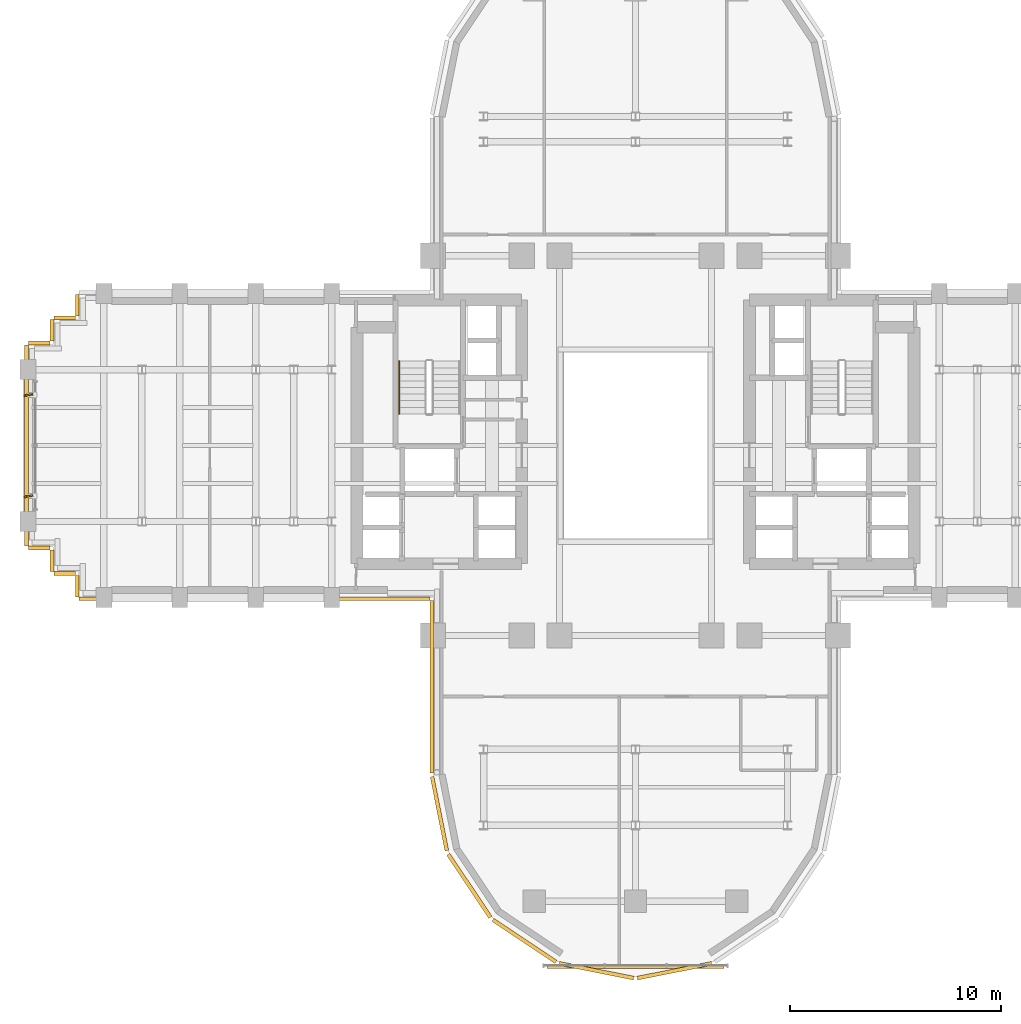
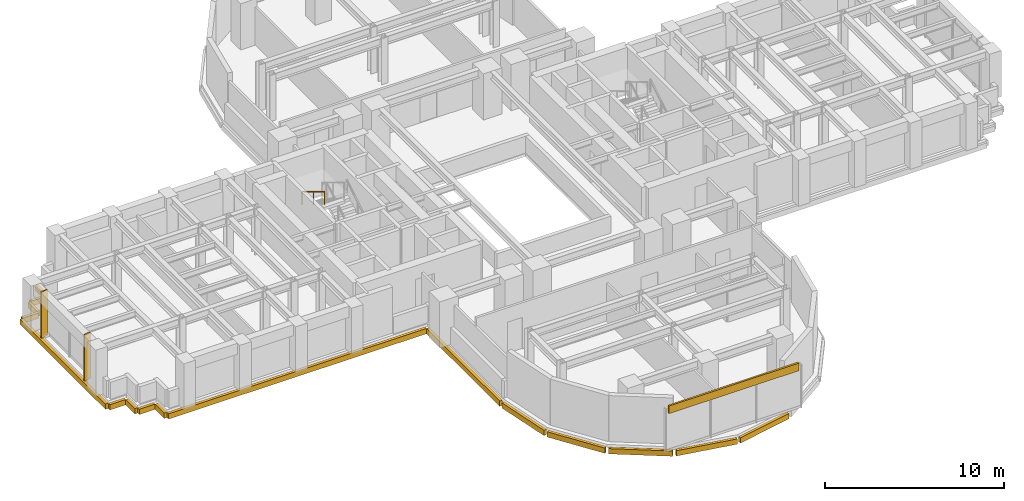
# One storey, part 13 of 16: 17 coverings, 2 shading devices, 1 railing.
"""IFC4 building model written with IfcOpenShell, lengths in metres."""

from ifc_helpers import new_model, si_unit, direction, frame, origin, origin_2d, place, context, subcontext, project, spatial, rectangle, extrude, source, transform, mapped, material, layer, layer_set, type_object, element, save


model = new_model("IFC4")

# Units and contexts
model_context = context("Model", 3, precision=1e-05, world=origin(), true_north=direction((0.0, 1.0)))
body_context = subcontext(model_context, "Body", "Model", "MODEL_VIEW")
ifc_project = project(units=[si_unit("LENGTHUNIT", "METRE"), si_unit("AREAUNIT", "SQUARE_METRE"), si_unit("VOLUMEUNIT", "CUBIC_METRE"), si_unit("PLANEANGLEUNIT", "RADIAN"), si_unit("MASSUNIT", "GRAM", prefix="KILO")], contexts=[model_context])

# Site, building, storey
site_placement = place(None, origin())
site = spatial("IfcSite", under=ifc_project, at=site_placement, CompositionType="ELEMENT")
building_placement = place(site_placement, origin())
building = spatial("IfcBuilding", under=site, at=building_placement, Name="Keilestroom Media Tower", CompositionType="ELEMENT")
storey_placement = place(building_placement, frame((0.0, 0.0, 85.0)))
storey = spatial("IfcBuildingStorey", under=building, at=storey_placement, Name="L22", CompositionType="ELEMENT", Elevation=85.0)

# Railing
ifc_material_1 = material(Name="Brushed Stainless Steel 1.4301", Category="steel")
railing_type = type_object("IfcRailingType", Name="Stair-Pitch-Handrail-920", PredefinedType="HANDRAIL", material=ifc_material_1)
railing_placement = place(storey_placement, frame((-11.2099609375, 3.99609375, 1.888916015625)))
element("IfcRailing", 1, at=railing_placement, inside=storey, type_object=railing_type, Name="L22 ST-1 stair handrail 2", PredefinedType="HANDRAIL", context=body_context, shape_type="SweptSolid", body=[
    extrude(rectangle(XDim=0.048095703125, YDim=0.048095703125, at=origin_2d()), frame((0.0, 0.0, 0.8759765625), z_axis=(0.0, -0.855470815493, 0.517851024754), x_axis=(1.0, 0.0, 0.0)), (0.0, 0.0, 1.0), 2.917724609375),
    extrude(rectangle(XDim=0.0419921875, YDim=0.0419921875, at=origin_2d()), origin(), (0.0, 0.0, 1.0), 0.84375),
    extrude(rectangle(XDim=0.0419921875, YDim=0.0419921875, at=origin_2d()), frame((0.0, -1.248046875, 0.75537109375)), (0.0, 0.0, 1.0), 0.84375),
    extrude(rectangle(XDim=0.0419921875, YDim=0.0419921875, at=origin_2d()), frame((0.0, -2.49609375, 1.510986328125)), (0.0, 0.0, 1.0), 0.84375),
])

# Covering
ifc_material_2 = material(Name="Precast concrete C40/50", Category="concrete")
ifc_layer = layer(ifc_material_2, 0.1201171875)
ifc_layer_set = layer_set([ifc_layer], Name="Precast concrete C40/50")
covering_type = type_object("IfcCoveringType", Name="Exterior-Precast-Spandrel-Cladding-Panel-120", PredefinedType="CLADDING", material=ifc_layer_set)
shared_shape_1 = source(origin(), body_context, "Body", "SweptSolid", [
    extrude(rectangle(XDim=8.39990234375, YDim=0.1201171875, at=origin_2d()), origin(), (0.0, 0.0, 1.0), 0.52001953125),
])
covering_1_placement = place(storey_placement, frame((0.0, -24.719970703125, 2.6298828125), z_axis=(0.0, 0.0, 1.0), x_axis=(1.0, 0.0, 0.0)))
element("IfcCovering", 2, at=covering_1_placement, inside=storey, type_object=covering_type, Name="L22 Precast Spandrel Cladding S", PredefinedType="CLADDING", context=body_context, shape_type="MappedRepresentation", body=[
    mapped(shared_shape_1, transform((0.0, 0.0, 0.0), x_axis=(1.0, 0.0, 0.0), y_axis=(0.0, 1.0, 0.0), z_axis=(0.0, 0.0, 1.0), scale=1.0)),
])

# Shading devices
ifc_material_3 = material(Name="Bronze Anodised Aluminium", Category="aluminium")
shading_device_type = type_object("IfcShadingDeviceType", Name="Facade-Vertical-Sunshade-Fin-SHD-1", PredefinedType="USERDEFINED", material=ifc_material_3)
shared_shape_2 = source(origin(), body_context, "Body", "SweptSolid", [
    extrude(rectangle(XDim=0.419921875, YDim=0.080078125, at=origin_2d()), origin(), (0.0, 0.0, 1.0), 3.139892578125),
])
for number, where, z_axis, x_axis, name in (
    (3, (-28.77001953125, -2.39990234375, 0.0), (0.0, 0.0, 1.0), (0.985437590637, 0.170037510451, 0.0), "L22 Twisting Sunshade Fin SHD-1 029"),
    (4, (-28.77001953125, 2.39990234375, 0.0), (0.0, 0.0, 1.0), (0.985437590637, 0.170037510451, 0.0), "L22 Twisting Sunshade Fin SHD-1 030"),
):
    element("IfcShadingDevice", number, at=place(storey_placement, frame(where, z_axis=z_axis, x_axis=x_axis)), inside=storey, type_object=shading_device_type, Name=name, ObjectType="SUNSHADE", PredefinedType="USERDEFINED", context=body_context, shape_type="MappedRepresentation", body=[
        mapped(shared_shape_2, transform((0.0, 0.0, 0.0), x_axis=(1.0, 0.0, 0.0), y_axis=(0.0, 1.0, 0.0), z_axis=(0.0, 0.0, 1.0), scale=1.0)),
    ])

# Coverings
shared_shape_3 = source(origin(), body_context, "Body", "SweptSolid", [
    extrude(rectangle(XDim=1.02001953125, YDim=0.179931640625, at=origin_2d()), origin(), (0.0, 0.0, 1.0), 0.360107421875),
])
for number, where, z_axis, x_axis, name in (
    (5, (-26.4599609375, -6.659912109375, -0.5400390625), (0.0, 0.0, 1.0), (0.0, 1.0, 0.0), "L22 Precast Slab-Edge Fascia Cornice 17"),
    (6, (-27.06005859375, -6.06005859375, -0.5400390625), (0.0, 0.0, 1.0), (-1.0, 0.0, 0.0), "L22 Precast Slab-Edge Fascia Cornice 18"),
    (7, (-27.659912109375, -5.4599609375, -0.5400390625), (0.0, 0.0, 1.0), (0.0, 1.0, 0.0), "L22 Precast Slab-Edge Fascia Cornice 19"),
    (8, (-28.260009765625, -4.860107421875, -0.5400390625), (0.0, 0.0, 1.0), (-1.0, 0.0, 0.0), "L22 Precast Slab-Edge Fascia Cornice 20"),
    (9, (-28.260009765625, 4.860107421875, -0.5400390625), (0.0, 0.0, 1.0), (1.0, 0.0, 0.0), "L22 Precast Slab-Edge Fascia Cornice 22"),
    (10, (-27.659912109375, 5.4599609375, -0.5400390625), (0.0, 0.0, 1.0), (0.0, 1.0, 0.0), "L22 Precast Slab-Edge Fascia Cornice 23"),
    (11, (-27.06005859375, 6.06005859375, -0.5400390625), (0.0, 0.0, 1.0), (1.0, 0.0, 0.0), "L22 Precast Slab-Edge Fascia Cornice 24"),
    (12, (-26.4599609375, 6.659912109375, -0.5400390625), (0.0, 0.0, 1.0), (0.0, 1.0, 0.0), "L22 Precast Slab-Edge Fascia Cornice 25"),
):
    element("IfcCovering", number, at=place(storey_placement, frame(where, z_axis=z_axis, x_axis=x_axis)), inside=storey, type_object=covering_type, Name=name, PredefinedType="CLADDING", context=body_context, shape_type="MappedRepresentation", body=[
        mapped(shared_shape_3, transform((0.0, 0.0, 0.0), x_axis=(1.0, 0.0, 0.0), y_axis=(0.0, 1.0, 0.0), z_axis=(0.0, 0.0, 1.0), scale=1.0)),
    ])
shared_shape_4 = source(origin(), body_context, "Body", "SweptSolid", [
    extrude(rectangle(XDim=16.6201171875, YDim=0.179931640625, at=origin_2d()), origin(), (0.0, 0.0, 1.0), 0.360107421875),
])
covering_2_placement = place(storey_placement, frame((-18.06005859375, -7.260009765625, -0.5400390625), z_axis=(0.0, 0.0, 1.0), x_axis=(-1.0, 0.0, 0.0)))
element("IfcCovering", 13, at=covering_2_placement, inside=storey, type_object=covering_type, Name="L22 Precast Slab-Edge Fascia Cornice 16", PredefinedType="CLADDING", context=body_context, shape_type="MappedRepresentation", body=[
    mapped(shared_shape_4, transform((0.0, 0.0, 0.0), x_axis=(1.0, 0.0, 0.0), y_axis=(0.0, 1.0, 0.0), z_axis=(0.0, 0.0, 1.0), scale=1.0)),
])
shared_shape_5 = source(origin(), body_context, "Body", "SweptSolid", [
    extrude(rectangle(XDim=8.166015625, YDim=0.179931640625, at=origin_2d()), origin(), (0.0, 0.0, 1.0), 0.360107421875),
])
covering_3_placement = place(storey_placement, frame((-9.659912109375, -11.43310546875, -0.5400390625), z_axis=(0.0, 0.0, 1.0), x_axis=(0.0, 1.0, 0.0)))
element("IfcCovering", 14, at=covering_3_placement, inside=storey, type_object=covering_type, Name="L22 Precast Slab-Edge Fascia Cornice 15", PredefinedType="CLADDING", context=body_context, shape_type="MappedRepresentation", body=[
    mapped(shared_shape_5, transform((0.0, 0.0, 0.0), x_axis=(1.0, 0.0, 0.0), y_axis=(0.0, 1.0, 0.0), z_axis=(0.0, 0.0, 1.0), scale=1.0)),
])
shared_shape_6 = source(origin(), body_context, "Body", "SweptSolid", [
    extrude(rectangle(XDim=3.58349609375, YDim=0.179931640625, at=origin_2d()), origin(), (0.0, 0.0, 1.0), 0.360107421875),
])
covering_4_placement = place(storey_placement, frame((-9.29296875, -17.45166015625, -0.5400390625), z_axis=(0.0, 0.0, 1.0), x_axis=(-0.195098880975, 0.980783577882, 0.0)))
element("IfcCovering", 15, at=covering_4_placement, inside=storey, type_object=covering_type, Name="L22 Precast Slab-Edge Fascia Cornice 14", PredefinedType="CLADDING", context=body_context, shape_type="MappedRepresentation", body=[
    mapped(shared_shape_6, transform((0.0, 0.0, 0.0), x_axis=(1.0, 0.0, 0.0), y_axis=(0.0, 1.0, 0.0), z_axis=(0.0, 0.0, 1.0), scale=1.0)),
])
shared_shape_7 = source(origin(), body_context, "Body", "SweptSolid", [
    extrude(rectangle(XDim=3.589599609375, YDim=0.179931640625, at=origin_2d()), origin(), (0.0, 0.0, 1.0), 0.360107421875),
])
for number, where, z_axis, x_axis, name in (
    (16, (1.8486328125, -24.893310546875, -0.5400390625), (0.0, 0.0, 1.0), (-0.980783577882, -0.195098880975, 0.0), "L22 Precast Slab-Edge Fascia Cornice 10"),
    (17, (-1.8486328125, -24.893310546875, -0.5400390625), (0.0, 0.0, 1.0), (-0.980783577882, 0.195098880975, 0.0), "L22 Precast Slab-Edge Fascia Cornice 11"),
    (18, (-5.264404296875, -23.478515625, -0.5400390625), (0.0, 0.0, 1.0), (-0.831466703332, 0.555574586577, 0.0), "L22 Precast Slab-Edge Fascia Cornice 12"),
    (19, (-7.878662109375, -20.8642578125, -0.5400390625), (0.0, 0.0, 1.0), (-0.555574586577, 0.831466703332, 0.0), "L22 Precast Slab-Edge Fascia Cornice 13"),
):
    element("IfcCovering", number, at=place(storey_placement, frame(where, z_axis=z_axis, x_axis=x_axis)), inside=storey, type_object=covering_type, Name=name, PredefinedType="CLADDING", context=body_context, shape_type="MappedRepresentation", body=[
        mapped(shared_shape_7, transform((0.0, 0.0, 0.0), x_axis=(1.0, 0.0, 0.0), y_axis=(0.0, 1.0, 0.0), z_axis=(0.0, 0.0, 1.0), scale=1.0)),
    ])
shared_shape_8 = source(origin(), body_context, "Body", "SweptSolid", [
    extrude(rectangle(XDim=9.5400390625, YDim=0.179931640625, at=origin_2d()), origin(), (0.0, 0.0, 1.0), 0.360107421875),
])
covering_5_placement = place(storey_placement, frame((-28.860107421875, 0.0, -0.5400390625), z_axis=(0.0, 0.0, 1.0), x_axis=(0.0, 1.0, 0.0)))
element("IfcCovering", 20, at=covering_5_placement, inside=storey, type_object=covering_type, Name="L22 Precast Slab-Edge Fascia Cornice 21", PredefinedType="CLADDING", context=body_context, shape_type="MappedRepresentation", body=[
    mapped(shared_shape_8, transform((0.0, 0.0, 0.0), x_axis=(1.0, 0.0, 0.0), y_axis=(0.0, 1.0, 0.0), z_axis=(0.0, 0.0, 1.0), scale=1.0)),
])

save(model, "model.ifc")
